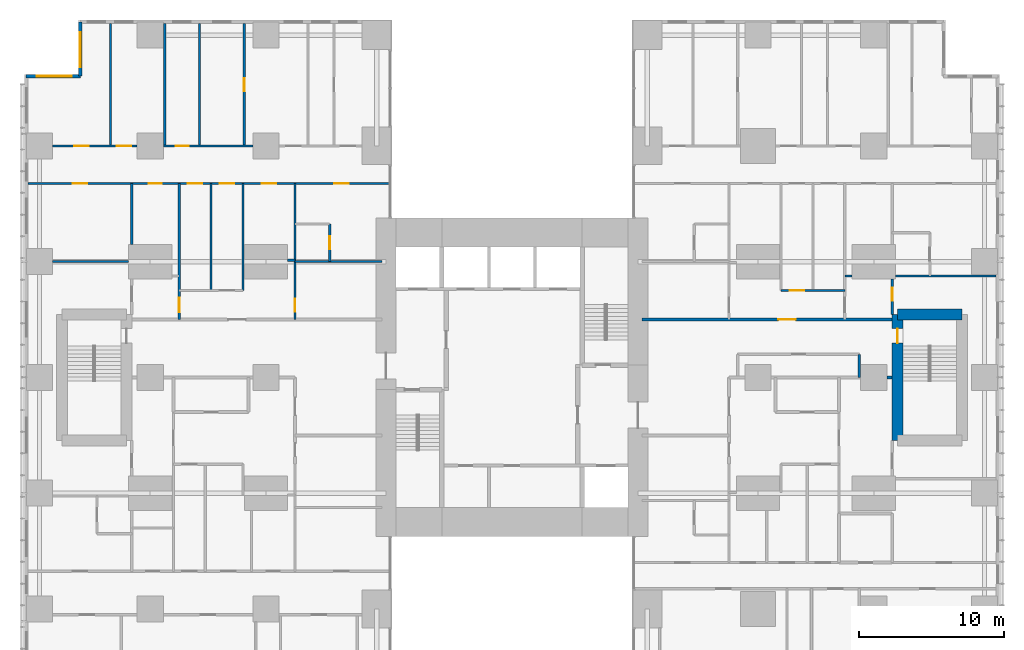
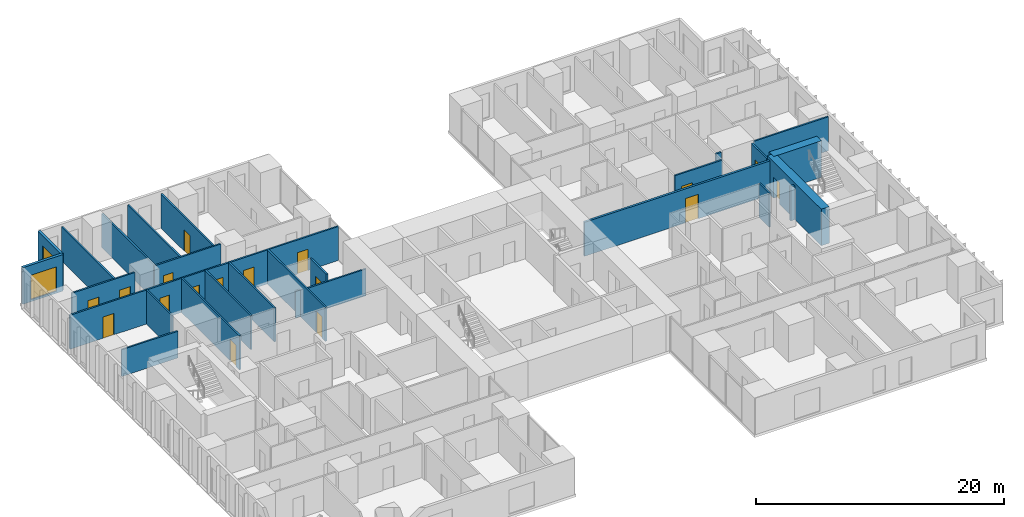
# One storey, part 16 of 20: 27 walls, 17 doors, 2 windows, 19 openings.
"""IFC4 building model written with IfcOpenShell, lengths in metres."""

from ifc_helpers import new_model, si_unit, direction, frame, frame_2d, origin, place, context, subcontext, project, spatial, rectangle, extrude, material, layer, layer_set, type_object, element, fill, save


model = new_model("IFC4")

# Units and contexts
model_context = context("Model", 3, precision=1e-05, world=origin(), true_north=direction((0.0, 1.0)))
body_context = subcontext(model_context, "Body", "Model", "MODEL_VIEW")
ifc_project = project(units=[si_unit("LENGTHUNIT", "METRE"), si_unit("AREAUNIT", "SQUARE_METRE"), si_unit("VOLUMEUNIT", "CUBIC_METRE"), si_unit("PLANEANGLEUNIT", "RADIAN"), si_unit("MASSUNIT", "GRAM", prefix="KILO")], contexts=[model_context])

# Site, building, storey
site_placement = place(None, origin())
site = spatial("IfcSite", under=ifc_project, at=site_placement, CompositionType="ELEMENT")
building_placement = place(site_placement, origin())
building = spatial("IfcBuilding", under=site, at=building_placement, Name="Cleftline Residences", CompositionType="ELEMENT")
storey_placement = place(building_placement, frame((0.0, 0.0, 185.800048828125)))
storey = spatial("IfcBuildingStorey", under=building, at=storey_placement, Name="L48", CompositionType="ELEMENT", Elevation=185.800048828125)

# Wall, opening, window
ifc_material_1 = material(Name="Rendered reinforced concrete blockwork", Category="masonry")
ifc_layer_1 = layer(ifc_material_1, 0.25)
ifc_layer_set_1 = layer_set([ifc_layer_1], Name="EXTERNAL WALL 250")
wall_type_1 = type_object("IfcWallType", Name="EXTERNAL WALL 250", PredefinedType="SOLIDWALL", material=ifc_layer_set_1)
wall_1_placement = place(storey_placement, frame((3.175048828125, 48.574951171875, 0.0), z_axis=(0.0, 0.0, 1.0), x_axis=(0.0, -1.0, 0.0)))
wall_1 = element("IfcWall", 1, at=wall_1_placement, inside=storey, type_object=wall_type_1, Name="External wall", PredefinedType="SOLIDWALL", context=body_context, shape_type="SweptSolid", body=[
    extrude(rectangle(XDim=3.75, YDim=0.25, at=frame_2d((1.875, 0.0))), origin(), (0.0, 0.0, 1.0), 3.599853515625),
])
opening_1_placement = place(wall_1_placement, frame((0.737548828125, 0.0, 0.199951171875)))
opening_1 = element("IfcOpeningElement", 2, at=opening_1_placement, cuts=wall_1, Name="Opening W9", PredefinedType="OPENING", context=body_context, shape_type="SweptSolid", body=[
    extrude(rectangle(XDim=2.39990234375, YDim=2.39990234375, at=frame_2d((1.199951171875, 1.199951171875))), frame((0.0, 0.135009765625, 0.0), z_axis=(0.0, -1.0, 0.0), x_axis=(1.0, 0.0, 0.0)), (0.0, 0.0, 1.0), 0.27001953125),
])
ifc_material_2 = material(Name="Aluminium frame, clear double glazing", Category="aluminium")
window_type = type_object("IfcWindowType", Name="WINDOW 2400X2400", PartitioningType="DOUBLE_PANEL_VERTICAL", PredefinedType="WINDOW", material=ifc_material_2)
window_1_placement = place(opening_1_placement, origin())
window_1 = element("IfcWindow", 3, at=window_1_placement, inside=storey, type_object=window_type, Name="Window", OverallHeight=2.39990234375, OverallWidth=2.39990234375, PartitioningType="SINGLE_PANEL", PredefinedType="WINDOW", context=body_context, shape_type="SweptSolid", body=[
    extrude(rectangle(XDim=2.39990234375, YDim=2.39990234375, at=frame_2d((1.199951171875, 1.199951171875))), frame((0.0, 0.030029296875, 0.0), z_axis=(0.0, -1.0, 0.0), x_axis=(1.0, 0.0, 0.0)), (0.0, 0.0, 1.0), 0.06005859375),
])
fill(opening_1, window_1)

wall_2_placement = place(storey_placement, frame((3.175048828125, 44.824951171875, 0.0), z_axis=(0.0, 0.0, 1.0), x_axis=(-1.0, 0.0, 0.0)))
wall_2 = element("IfcWall", 4, at=wall_2_placement, inside=storey, type_object=wall_type_1, Name="External wall", PredefinedType="SOLIDWALL", context=body_context, shape_type="SweptSolid", body=[
    extrude(rectangle(XDim=3.75, YDim=0.25, at=frame_2d((1.875, 0.0))), origin(), (0.0, 0.0, 1.0), 3.599853515625),
])
opening_2_placement = place(wall_2_placement, frame((0.612548828125, 0.0, 0.199951171875)))
opening_2 = element("IfcOpeningElement", 5, at=opening_2_placement, cuts=wall_2, Name="Opening W9", PredefinedType="OPENING", context=body_context, shape_type="SweptSolid", body=[
    extrude(rectangle(XDim=2.39990234375, YDim=2.39990234375, at=frame_2d((1.199951171875, 1.199951171875))), frame((0.0, 0.135009765625, 0.0), z_axis=(0.0, -1.0, 0.0), x_axis=(1.0, 0.0, 0.0)), (0.0, 0.0, 1.0), 0.27001953125),
])
window_2_placement = place(opening_2_placement, origin())
window_2 = element("IfcWindow", 6, at=window_2_placement, inside=storey, type_object=window_type, Name="Window", OverallHeight=2.39990234375, OverallWidth=2.39990234375, PartitioningType="SINGLE_PANEL", PredefinedType="WINDOW", context=body_context, shape_type="SweptSolid", body=[
    extrude(rectangle(XDim=2.39990234375, YDim=2.39990234375, at=frame_2d((1.199951171875, 1.199951171875))), frame((0.0, 0.030029296875, 0.0), z_axis=(0.0, -1.0, 0.0), x_axis=(1.0, 0.0, 0.0)), (0.0, 0.0, 1.0), 0.06005859375),
])
fill(opening_2, window_2)

# Wall
ifc_material_3 = material(Name="Concrete blockwork, fire rated", Category="masonry")
ifc_layer_2 = layer(ifc_material_3, 0.199951171875)
ifc_layer_set_2 = layer_set([ifc_layer_2], Name="FIRE WALL 200")
wall_type_2 = type_object("IfcWallType", Name="FIRE WALL 200", PredefinedType="PARTITIONING", material=ifc_layer_set_2)
wall_3_placement = place(storey_placement, frame((58.89990234375, 24.0, 0.0), z_axis=(0.0, 0.0, 1.0), x_axis=(1.0, 0.0, 0.0)))
element("IfcWall", 7, at=wall_3_placement, inside=storey, type_object=wall_type_2, Name="Fire separating wall", PredefinedType="PARTITIONING", context=body_context, shape_type="SweptSolid", body=[
    extrude(rectangle(XDim=0.375, YDim=0.199951171875, at=frame_2d((0.1875, 0.0))), origin(), (0.0, 0.0, 1.0), 3.349853515625),
])

# Wall, opening, door
wall_4_placement = place(storey_placement, frame((42.0, 28.0, 0.0), z_axis=(0.0, 0.0, 1.0), x_axis=(1.0, 0.0, 0.0)))
wall_4 = element("IfcWall", 8, at=wall_4_placement, inside=storey, type_object=wall_type_2, Name="Fire separating wall", PredefinedType="PARTITIONING", context=body_context, shape_type="SweptSolid", body=[
    extrude(rectangle(XDim=17.27490234375, YDim=0.199951171875, at=frame_2d((8.637451171875, 0.0))), origin(), (0.0, 0.0, 1.0), 3.349853515625),
])
opening_3_placement = place(wall_4_placement, frame((9.39990234375, 0.0, 0.0)))
opening_3 = element("IfcOpeningElement", 9, at=opening_3_placement, cuts=wall_4, Name="Opening D4", PredefinedType="OPENING", context=body_context, shape_type="SweptSolid", body=[
    extrude(rectangle(XDim=1.199951171875, YDim=2.39990234375, at=frame_2d((0.60009765625, 1.199951171875))), frame((0.0, 0.10986328125, 0.0), z_axis=(0.0, -1.0, 0.0), x_axis=(1.0, 0.0, 0.0)), (0.0, 0.0, 1.0), 0.219970703125),
])
ifc_material_4 = material(Name="Timber veneer on solid core", Category="wood")
door_type_1 = type_object("IfcDoorType", Name="APARTMENT ENTRANCE DOOR 1200X2400", OperationType="SINGLE_SWING_RIGHT", PredefinedType="DOOR", material=ifc_material_4)
door_1_placement = place(opening_3_placement, origin())
door_1 = element("IfcDoor", 10, at=door_1_placement, inside=storey, type_object=door_type_1, Name="Door to residence entrance (gallery)", OperationType="SINGLE_SWING_LEFT", OverallHeight=2.39990234375, OverallWidth=1.199951171875, PredefinedType="DOOR", context=body_context, shape_type="SweptSolid", body=[
    extrude(rectangle(XDim=1.199951171875, YDim=2.39990234375, at=frame_2d((0.60009765625, 1.199951171875))), frame((0.0, 0.02490234375, 0.0), z_axis=(0.0, -1.0, 0.0), x_axis=(1.0, 0.0, 0.0)), (0.0, 0.0, 1.0), 0.050048828125),
])
fill(opening_3, door_1)

ifc_material_5 = material(Name="Gypsum board on steel studs", Category="steel")
ifc_layer_3 = layer(ifc_material_5, 0.14990234375)
ifc_layer_set_3 = layer_set([ifc_layer_3], Name="PARTITION 150")
wall_type_3 = type_object("IfcWallType", Name="PARTITION 150", PredefinedType="PARTITIONING", material=ifc_layer_set_3)
wall_5_placement = place(storey_placement, frame((51.60009765625, 30.0, 0.0), z_axis=(0.0, 0.0, 1.0), x_axis=(1.0, 0.0, 0.0)))
wall_5 = element("IfcWall", 11, at=wall_5_placement, inside=storey, type_object=wall_type_3, Name="Partition", PredefinedType="PARTITIONING", context=body_context, shape_type="SweptSolid", body=[
    extrude(rectangle(XDim=4.39990234375, YDim=0.14990234375, at=frame_2d((2.199951171875, 0.0))), origin(), (0.0, 0.0, 1.0), 3.349853515625),
])
opening_4_placement = place(wall_5_placement, frame((0.60009765625, 0.0, 0.0)))
opening_4 = element("IfcOpeningElement", 12, at=opening_4_placement, cuts=wall_5, Name="Opening D2", PredefinedType="OPENING", context=body_context, shape_type="SweptSolid", body=[
    extrude(rectangle(XDim=1.0, YDim=2.10009765625, at=frame_2d((0.5, 1.050048828125))), frame((0.0, 0.0849609375, 0.0), z_axis=(0.0, -1.0, 0.0), x_axis=(1.0, 0.0, 0.0)), (0.0, 0.0, 1.0), 0.169921875),
])
ifc_material_6 = material(Name="Timber veneer on solid core", Category="wood")
door_type_2 = type_object("IfcDoorType", Name="DOOR 1000X2100", OperationType="SINGLE_SWING_LEFT", PredefinedType="DOOR", material=ifc_material_6)
door_2_placement = place(opening_4_placement, origin())
door_2 = element("IfcDoor", 13, at=door_2_placement, inside=storey, type_object=door_type_2, Name="Door to residence passage", OperationType="SINGLE_SWING_RIGHT", OverallHeight=2.10009765625, OverallWidth=1.0, PredefinedType="DOOR", context=body_context, shape_type="SweptSolid", body=[
    extrude(rectangle(XDim=1.0, YDim=2.10009765625, at=frame_2d((0.5, 1.050048828125))), frame((0.0, 0.02490234375, 0.0), z_axis=(0.0, -1.0, 0.0), x_axis=(1.0, 0.0, 0.0)), (0.0, 0.0, 1.0), 0.050048828125),
])
fill(opening_4, door_2)

# Walls
wall_6_placement = place(storey_placement, frame((56.0, 31.0, 0.0), z_axis=(0.0, 0.0, 1.0), x_axis=(1.0, 0.0, 0.0)))
element("IfcWall", 14, at=wall_6_placement, inside=storey, type_object=wall_type_3, Name="Partition", PredefinedType="PARTITIONING", context=body_context, shape_type="SweptSolid", body=[
    extrude(rectangle(XDim=0.5, YDim=0.14990234375, at=frame_2d((0.25, 0.0))), origin(), (0.0, 0.0, 1.0), 3.349853515625),
])
wall_7_placement = place(storey_placement, frame((59.5, 31.0, 0.0), z_axis=(0.0, 0.0, 1.0), x_axis=(1.0, 0.0, 0.0)))
element("IfcWall", 15, at=wall_7_placement, inside=storey, type_object=wall_type_3, Name="Partition", PredefinedType="PARTITIONING", context=body_context, shape_type="SweptSolid", body=[
    extrude(rectangle(XDim=6.949951171875, YDim=0.14990234375, at=frame_2d((3.47509765625, 0.0))), origin(), (0.0, 0.0, 1.0), 3.349853515625),
])
wall_8_placement = place(storey_placement, frame((1.25, 32.0, 0.0), z_axis=(0.0, 0.0, 1.0), x_axis=(1.0, 0.0, 0.0)))
element("IfcWall", 16, at=wall_8_placement, inside=storey, type_object=wall_type_3, Name="Partition", PredefinedType="PARTITIONING", context=body_context, shape_type="SweptSolid", body=[
    extrude(rectangle(XDim=5.25, YDim=0.14990234375, at=frame_2d((2.625, 0.0))), origin(), (0.0, 0.0, 1.0), 2.634033203125),
])
wall_9_placement = place(storey_placement, frame((18.0, 32.0, 0.0), z_axis=(0.0, 0.0, 1.0), x_axis=(1.0, 0.0, 0.0)))
element("IfcWall", 17, at=wall_9_placement, inside=storey, type_object=wall_type_3, Name="Partition", PredefinedType="PARTITIONING", context=body_context, shape_type="SweptSolid", body=[
    extrude(rectangle(XDim=6.0, YDim=0.14990234375, at=frame_2d((3.0, 0.0))), origin(), (0.0, 0.0, 1.0), 2.634033203125),
])
wall_10_placement = place(storey_placement, frame((17.5, 32.10009765625, 0.0), z_axis=(0.0, 0.0, 1.0), x_axis=(1.0, 0.0, 0.0)))
element("IfcWall", 18, at=wall_10_placement, inside=storey, type_object=wall_type_3, Name="Partition", PredefinedType="PARTITIONING", context=body_context, shape_type="SweptSolid", body=[
    extrude(rectangle(XDim=0.5, YDim=0.14990234375, at=frame_2d((0.25, 0.0))), origin(), (0.0, 0.0, 1.0), 2.634033203125),
])

# Wall, openings, doors
wall_11_placement = place(storey_placement, frame((-0.449951171875, 37.39990234375, 0.0), z_axis=(0.0, 0.0, 1.0), x_axis=(1.0, 0.0, 0.0)))
wall_11 = element("IfcWall", 19, at=wall_11_placement, inside=storey, type_object=wall_type_3, Name="Partition", PredefinedType="PARTITIONING", context=body_context, shape_type="SweptSolid", body=[
    extrude(rectangle(XDim=25.010986328125, YDim=0.14990234375, at=frame_2d((12.50537109375, 0.0))), origin(), (0.0, 0.0, 1.0), 3.349853515625),
])
opening_5_placement = place(wall_11_placement, frame((13.25, 0.0, 0.0)))
opening_5 = element("IfcOpeningElement", 20, at=opening_5_placement, cuts=wall_11, Name="Opening D2", PredefinedType="OPENING", context=body_context, shape_type="SweptSolid", body=[
    extrude(rectangle(XDim=1.0, YDim=2.10009765625, at=frame_2d((0.5, 1.050048828125))), frame((0.0, 0.0849609375, 0.0), z_axis=(0.0, -1.0, 0.0), x_axis=(1.0, 0.0, 0.0)), (0.0, 0.0, 1.0), 0.169921875),
])
opening_6_placement = place(wall_11_placement, frame((3.08740234375, 0.0, 0.0)))
opening_6 = element("IfcOpeningElement", 21, at=opening_6_placement, cuts=wall_11, Name="Opening D2", PredefinedType="OPENING", context=body_context, shape_type="SweptSolid", body=[
    extrude(rectangle(XDim=1.0, YDim=2.10009765625, at=frame_2d((0.5, 1.050048828125))), frame((0.0, 0.0849609375, 0.0), z_axis=(0.0, -1.0, 0.0), x_axis=(1.0, 0.0, 0.0)), (0.0, 0.0, 1.0), 0.169921875),
])
opening_7_placement = place(wall_11_placement, frame((8.362548828125, 0.0, 0.0)))
opening_7 = element("IfcOpeningElement", 22, at=opening_7_placement, cuts=wall_11, Name="Opening D1", PredefinedType="OPENING", context=body_context, shape_type="SweptSolid", body=[
    extrude(rectangle(XDim=0.89990234375, YDim=2.10009765625, at=frame_2d((0.449951171875, 1.050048828125))), frame((0.0, 0.0849609375, 0.0), z_axis=(0.0, -1.0, 0.0), x_axis=(1.0, 0.0, 0.0)), (0.0, 0.0, 1.0), 0.169921875),
])
opening_8_placement = place(wall_11_placement, frame((11.050048828125, 0.0, 0.0)))
opening_8 = element("IfcOpeningElement", 23, at=opening_8_placement, cuts=wall_11, Name="Opening D2", PredefinedType="OPENING", context=body_context, shape_type="SweptSolid", body=[
    extrude(rectangle(XDim=1.0, YDim=2.10009765625, at=frame_2d((0.5, 1.050048828125))), frame((0.0, 0.0849609375, 0.0), z_axis=(0.0, -1.0, 0.0), x_axis=(1.0, 0.0, 0.0)), (0.0, 0.0, 1.0), 0.169921875),
])
opening_9_placement = place(wall_11_placement, frame((16.14990234375, 0.0, 0.0)))
opening_9 = element("IfcOpeningElement", 24, at=opening_9_placement, cuts=wall_11, Name="Opening D2", PredefinedType="OPENING", context=body_context, shape_type="SweptSolid", body=[
    extrude(rectangle(XDim=1.0, YDim=2.10009765625, at=frame_2d((0.5, 1.050048828125))), frame((0.0, 0.0849609375, 0.0), z_axis=(0.0, -1.0, 0.0), x_axis=(1.0, 0.0, 0.0)), (0.0, 0.0, 1.0), 0.169921875),
])
opening_10_placement = place(wall_11_placement, frame((21.175048828125, 0.0, 0.0)))
opening_10 = element("IfcOpeningElement", 25, at=opening_10_placement, cuts=wall_11, Name="Opening D2", PredefinedType="OPENING", context=body_context, shape_type="SweptSolid", body=[
    extrude(rectangle(XDim=1.0, YDim=2.10009765625, at=frame_2d((0.5, 1.050048828125))), frame((0.0, 0.0849609375, 0.0), z_axis=(0.0, -1.0, 0.0), x_axis=(1.0, 0.0, 0.0)), (0.0, 0.0, 1.0), 0.169921875),
])
door_3_placement = place(opening_5_placement, origin())
door_3 = element("IfcDoor", 26, at=door_3_placement, inside=storey, type_object=door_type_2, Name="Door to residence hall", OperationType="SINGLE_SWING_LEFT", OverallHeight=2.10009765625, OverallWidth=1.0, PredefinedType="DOOR", context=body_context, shape_type="SweptSolid", body=[
    extrude(rectangle(XDim=1.0, YDim=2.10009765625, at=frame_2d((0.5, 1.050048828125))), frame((0.0, 0.02490234375, 0.0), z_axis=(0.0, -1.0, 0.0), x_axis=(1.0, 0.0, 0.0)), (0.0, 0.0, 1.0), 0.050048828125),
])
fill(opening_5, door_3)
door_4_placement = place(opening_6_placement, origin())
door_4 = element("IfcDoor", 27, at=door_4_placement, inside=storey, type_object=door_type_2, Name="Door to winter garden", OperationType="SINGLE_SWING_RIGHT", OverallHeight=2.10009765625, OverallWidth=1.0, PredefinedType="DOOR", context=body_context, shape_type="SweptSolid", body=[
    extrude(rectangle(XDim=1.0, YDim=2.10009765625, at=frame_2d((0.5, 1.050048828125))), frame((0.0, 0.02490234375, 0.0), z_axis=(0.0, -1.0, 0.0), x_axis=(1.0, 0.0, 0.0)), (0.0, 0.0, 1.0), 0.050048828125),
])
fill(opening_6, door_4)
door_5_placement = place(opening_8_placement, origin())
door_5 = element("IfcDoor", 28, at=door_5_placement, inside=storey, type_object=door_type_2, Name="Door to family room", OperationType="SINGLE_SWING_RIGHT", OverallHeight=2.10009765625, OverallWidth=1.0, PredefinedType="DOOR", context=body_context, shape_type="SweptSolid", body=[
    extrude(rectangle(XDim=1.0, YDim=2.10009765625, at=frame_2d((0.5, 1.050048828125))), frame((0.0, 0.02490234375, 0.0), z_axis=(0.0, -1.0, 0.0), x_axis=(1.0, 0.0, 0.0)), (0.0, 0.0, 1.0), 0.050048828125),
])
fill(opening_8, door_5)
door_6_placement = place(opening_9_placement, origin())
door_6 = element("IfcDoor", 29, at=door_6_placement, inside=storey, type_object=door_type_2, Name="Door to morning kitchen", OperationType="SINGLE_SWING_LEFT", OverallHeight=2.10009765625, OverallWidth=1.0, PredefinedType="DOOR", context=body_context, shape_type="SweptSolid", body=[
    extrude(rectangle(XDim=1.0, YDim=2.10009765625, at=frame_2d((0.5, 1.050048828125))), frame((0.0, 0.02490234375, 0.0), z_axis=(0.0, -1.0, 0.0), x_axis=(1.0, 0.0, 0.0)), (0.0, 0.0, 1.0), 0.050048828125),
])
fill(opening_9, door_6)
door_7_placement = place(opening_10_placement, origin())
door_7 = element("IfcDoor", 30, at=door_7_placement, inside=storey, type_object=door_type_2, Name="Door to bedroom 4", OperationType="SINGLE_SWING_LEFT", OverallHeight=2.10009765625, OverallWidth=1.0, PredefinedType="DOOR", context=body_context, shape_type="SweptSolid", body=[
    extrude(rectangle(XDim=1.0, YDim=2.10009765625, at=frame_2d((0.5, 1.050048828125))), frame((0.0, 0.02490234375, 0.0), z_axis=(0.0, -1.0, 0.0), x_axis=(1.0, 0.0, 0.0)), (0.0, 0.0, 1.0), 0.050048828125),
])
fill(opening_10, door_7)
ifc_material_7 = material(Name="Timber veneer on solid core", Category="wood")
door_type_3 = type_object("IfcDoorType", Name="DOOR 900X2100", OperationType="SINGLE_SWING_LEFT", PredefinedType="DOOR", material=ifc_material_7)
door_8_placement = place(opening_7_placement, origin())
door_8 = element("IfcDoor", 31, at=door_8_placement, inside=storey, type_object=door_type_3, Name="Door to master bathroom", OperationType="SINGLE_SWING_RIGHT", OverallHeight=2.10009765625, OverallWidth=0.89990234375, PredefinedType="DOOR", context=body_context, shape_type="SweptSolid", body=[
    extrude(rectangle(XDim=0.89990234375, YDim=2.10009765625, at=frame_2d((0.449951171875, 1.050048828125))), frame((0.0, 0.02490234375, 0.0), z_axis=(0.0, -1.0, 0.0), x_axis=(1.0, 0.0, 0.0)), (0.0, 0.0, 1.0), 0.050048828125),
])
fill(opening_7, door_8)

wall_12_placement = place(storey_placement, frame((1.25, 40.0, 0.0), z_axis=(0.0, 0.0, 1.0), x_axis=(1.0, 0.0, 0.0)))
wall_12 = element("IfcWall", 32, at=wall_12_placement, inside=storey, type_object=wall_type_3, Name="Partition", PredefinedType="PARTITIONING", context=body_context, shape_type="SweptSolid", body=[
    extrude(rectangle(XDim=5.85009765625, YDim=0.14990234375, at=frame_2d((2.925048828125, 0.0))), origin(), (0.0, 0.0, 1.0), 3.349853515625),
])
opening_11_placement = place(wall_12_placement, frame((1.5, 0.0, 0.0)))
opening_11 = element("IfcOpeningElement", 33, at=opening_11_placement, cuts=wall_12, Name="Opening D2", PredefinedType="OPENING", context=body_context, shape_type="SweptSolid", body=[
    extrude(rectangle(XDim=1.0, YDim=2.10009765625, at=frame_2d((0.5, 1.050048828125))), frame((0.0, 0.0849609375, 0.0), z_axis=(0.0, -1.0, 0.0), x_axis=(1.0, 0.0, 0.0)), (0.0, 0.0, 1.0), 0.169921875),
])
opening_12_placement = place(wall_12_placement, frame((4.425048828125, 0.0, 0.0)))
opening_12 = element("IfcOpeningElement", 34, at=opening_12_placement, cuts=wall_12, Name="Opening D2", PredefinedType="OPENING", context=body_context, shape_type="SweptSolid", body=[
    extrude(rectangle(XDim=1.0, YDim=2.10009765625, at=frame_2d((0.5, 1.050048828125))), frame((0.0, 0.0849609375, 0.0), z_axis=(0.0, -1.0, 0.0), x_axis=(1.0, 0.0, 0.0)), (0.0, 0.0, 1.0), 0.169921875),
])
door_9_placement = place(opening_11_placement, origin())
door_9 = element("IfcDoor", 35, at=door_9_placement, inside=storey, type_object=door_type_2, Name="Door to master bedroom", OperationType="SINGLE_SWING_RIGHT", OverallHeight=2.10009765625, OverallWidth=1.0, PredefinedType="DOOR", context=body_context, shape_type="SweptSolid", body=[
    extrude(rectangle(XDim=1.0, YDim=2.10009765625, at=frame_2d((0.5, 1.050048828125))), frame((0.0, 0.02490234375, 0.0), z_axis=(0.0, -1.0, 0.0), x_axis=(1.0, 0.0, 0.0)), (0.0, 0.0, 1.0), 0.050048828125),
])
fill(opening_11, door_9)
door_10_placement = place(opening_12_placement, origin())
door_10 = element("IfcDoor", 36, at=door_10_placement, inside=storey, type_object=door_type_2, Name="Door to master sitting room", OperationType="SINGLE_SWING_LEFT", OverallHeight=2.10009765625, OverallWidth=1.0, PredefinedType="DOOR", context=body_context, shape_type="SweptSolid", body=[
    extrude(rectangle(XDim=1.0, YDim=2.10009765625, at=frame_2d((0.5, 1.050048828125))), frame((0.0, 0.02490234375, 0.0), z_axis=(0.0, -1.0, 0.0), x_axis=(1.0, 0.0, 0.0)), (0.0, 0.0, 1.0), 0.050048828125),
])
fill(opening_12, door_10)

# Wall, opening, door
wall_13_placement = place(storey_placement, frame((8.89990234375, 40.0, 0.0), z_axis=(0.0, 0.0, 1.0), x_axis=(1.0, 0.0, 0.0)))
wall_13 = element("IfcWall", 37, at=wall_13_placement, inside=storey, type_object=wall_type_3, Name="Partition", PredefinedType="PARTITIONING", context=body_context, shape_type="SweptSolid", body=[
    extrude(rectangle(XDim=6.2001953125, YDim=0.14990234375, at=frame_2d((3.10009765625, 0.0))), origin(), (0.0, 0.0, 1.0), 3.349853515625),
])
opening_13_placement = place(wall_13_placement, frame((0.85009765625, 0.0, 0.0)))
opening_13 = element("IfcOpeningElement", 38, at=opening_13_placement, cuts=wall_13, Name="Opening D1", PredefinedType="OPENING", context=body_context, shape_type="SweptSolid", body=[
    extrude(rectangle(XDim=0.89990234375, YDim=2.10009765625, at=frame_2d((0.449951171875, 1.050048828125))), frame((0.0, 0.0849609375, 0.0), z_axis=(0.0, -1.0, 0.0), x_axis=(1.0, 0.0, 0.0)), (0.0, 0.0, 1.0), 0.169921875),
])
door_11_placement = place(opening_13_placement, origin())
door_11 = element("IfcDoor", 39, at=door_11_placement, inside=storey, type_object=door_type_3, Name="Door to master dressing room", OperationType="SINGLE_SWING_RIGHT", OverallHeight=2.10009765625, OverallWidth=0.89990234375, PredefinedType="DOOR", context=body_context, shape_type="SweptSolid", body=[
    extrude(rectangle(XDim=0.89990234375, YDim=2.10009765625, at=frame_2d((0.449951171875, 1.050048828125))), frame((0.0, 0.02490234375, 0.0), z_axis=(0.0, -1.0, 0.0), x_axis=(1.0, 0.0, 0.0)), (0.0, 0.0, 1.0), 0.050048828125),
])
fill(opening_13, door_11)

# Walls
wall_14_placement = place(storey_placement, frame((5.25, 40.0, 0.0), z_axis=(0.0, 0.0, 1.0), x_axis=(0.0, 1.0, 0.0)))
element("IfcWall", 40, at=wall_14_placement, inside=storey, type_object=wall_type_3, Name="Partition", PredefinedType="PARTITIONING", context=body_context, shape_type="SweptSolid", body=[
    extrude(rectangle(XDim=8.449951171875, YDim=0.14990234375, at=frame_2d((4.22509765625, 0.0))), origin(), (0.0, 0.0, 1.0), 3.349853515625),
])
wall_15_placement = place(storey_placement, frame((6.72509765625, 33.199951171875, 0.0), z_axis=(0.0, 0.0, 1.0), x_axis=(0.0, 1.0, 0.0)))
element("IfcWall", 41, at=wall_15_placement, inside=storey, type_object=wall_type_3, Name="Partition", PredefinedType="PARTITIONING", context=body_context, shape_type="SweptSolid", body=[
    extrude(rectangle(XDim=4.199951171875, YDim=0.14990234375, at=frame_2d((2.10009765625, 0.0))), origin(), (0.0, 0.0, 1.0), 3.349853515625),
])
wall_16_placement = place(storey_placement, frame((9.0, 40.0, 0.0), z_axis=(0.0, 0.0, 1.0), x_axis=(0.0, 1.0, 0.0)))
element("IfcWall", 42, at=wall_16_placement, inside=storey, type_object=wall_type_3, Name="Partition", PredefinedType="PARTITIONING", context=body_context, shape_type="SweptSolid", body=[
    extrude(rectangle(XDim=8.449951171875, YDim=0.14990234375, at=frame_2d((4.22509765625, 0.0))), origin(), (0.0, 0.0, 1.0), 3.349853515625),
])

# Wall, opening, door
wall_17_placement = place(storey_placement, frame((10.0, 28.0, 0.0), z_axis=(0.0, 0.0, 1.0), x_axis=(0.0, 1.0, 0.0)))
wall_17 = element("IfcWall", 43, at=wall_17_placement, inside=storey, type_object=wall_type_3, Name="Partition", PredefinedType="PARTITIONING", context=body_context, shape_type="SweptSolid", body=[
    extrude(rectangle(XDim=9.39990234375, YDim=0.14990234375, at=frame_2d((4.699951171875, 0.0))), origin(), (0.0, 0.0, 1.0), 3.349853515625),
])
opening_14_placement = place(wall_17_placement, frame((0.5, 0.0, 0.0)))
opening_14 = element("IfcOpeningElement", 44, at=opening_14_placement, cuts=wall_17, Name="Opening D2F30", PredefinedType="OPENING", context=body_context, shape_type="SweptSolid", body=[
    extrude(rectangle(XDim=1.0, YDim=2.10009765625, at=frame_2d((0.5, 1.050048828125))), frame((0.0, 0.0849609375, 0.0), z_axis=(0.0, -1.0, 0.0), x_axis=(1.0, 0.0, 0.0)), (0.0, 0.0, 1.0), 0.169921875),
])
ifc_material_8 = material(Name="Timber veneer on solid core", Category="wood")
door_type_4 = type_object("IfcDoorType", Name="DOOR 1000X2100 EI 30", OperationType="SINGLE_SWING_LEFT", PredefinedType="DOOR", material=ifc_material_8)
door_12_placement = place(opening_14_placement, origin())
door_12 = element("IfcDoor", 45, at=door_12_placement, inside=storey, type_object=door_type_4, Name="Door to residence lobby (service)", OperationType="SINGLE_SWING_RIGHT", OverallHeight=2.10009765625, OverallWidth=1.0, PredefinedType="DOOR", context=body_context, shape_type="SweptSolid", body=[
    extrude(rectangle(XDim=1.0, YDim=2.10009765625, at=frame_2d((0.5, 1.050048828125))), frame((0.0, 0.02490234375, 0.0), z_axis=(0.0, -1.0, 0.0), x_axis=(1.0, 0.0, 0.0)), (0.0, 0.0, 1.0), 0.050048828125),
])
fill(opening_14, door_12)

# Walls
wall_18_placement = place(storey_placement, frame((11.39990234375, 40.0, 0.0), z_axis=(0.0, 0.0, 1.0), x_axis=(0.0, 1.0, 0.0)))
element("IfcWall", 46, at=wall_18_placement, inside=storey, type_object=wall_type_3, Name="Partition", PredefinedType="PARTITIONING", context=body_context, shape_type="SweptSolid", body=[
    extrude(rectangle(XDim=8.449951171875, YDim=0.14990234375, at=frame_2d((4.22509765625, 0.0))), origin(), (0.0, 0.0, 1.0), 3.349853515625),
])
for number, where, z_axis, x_axis, name in (
    (47, (12.199951171875, 30.0, 0.0), (0.0, 0.0, 1.0), (0.0, 1.0, 0.0), "Partition"),
    (48, (14.39990234375, 30.0, 0.0), (0.0, 0.0, 1.0), (0.0, 1.0, 0.0), "Partition"),
):
    element("IfcWall", number, at=place(storey_placement, frame(where, z_axis=z_axis, x_axis=x_axis)), inside=storey, type_object=wall_type_3, Name=name, PredefinedType="PARTITIONING", context=body_context, shape_type="SweptSolid", body=[
        extrude(rectangle(XDim=7.39990234375, YDim=0.14990234375, at=frame_2d((3.699951171875, 0.0))), origin(), (0.0, 0.0, 1.0), 3.349853515625),
    ])

# Wall, opening, door
wall_19_placement = place(storey_placement, frame((14.5, 40.0, 0.0), z_axis=(0.0, 0.0, 1.0), x_axis=(0.0, 1.0, 0.0)))
wall_19 = element("IfcWall", 49, at=wall_19_placement, inside=storey, type_object=wall_type_3, Name="Partition", PredefinedType="PARTITIONING", context=body_context, shape_type="SweptSolid", body=[
    extrude(rectangle(XDim=8.449951171875, YDim=0.14990234375, at=frame_2d((4.22509765625, 0.0))), origin(), (0.0, 0.0, 1.0), 3.349853515625),
])
opening_15_placement = place(wall_19_placement, frame((3.77490234375, 0.0, 0.0)))
opening_15 = element("IfcOpeningElement", 50, at=opening_15_placement, cuts=wall_19, Name="Opening D1", PredefinedType="OPENING", context=body_context, shape_type="SweptSolid", body=[
    extrude(rectangle(XDim=0.89990234375, YDim=2.10009765625, at=frame_2d((0.449951171875, 1.050048828125))), frame((0.0, 0.0849609375, 0.0), z_axis=(0.0, -1.0, 0.0), x_axis=(1.0, 0.0, 0.0)), (0.0, 0.0, 1.0), 0.169921875),
])
door_13_placement = place(opening_15_placement, origin())
door_13 = element("IfcDoor", 51, at=door_13_placement, inside=storey, type_object=door_type_3, Name="Door to en-suite bathroom 2", OperationType="SINGLE_SWING_LEFT", OverallHeight=2.10009765625, OverallWidth=0.89990234375, PredefinedType="DOOR", context=body_context, shape_type="SweptSolid", body=[
    extrude(rectangle(XDim=0.89990234375, YDim=2.10009765625, at=frame_2d((0.449951171875, 1.050048828125))), frame((0.0, 0.02490234375, 0.0), z_axis=(0.0, -1.0, 0.0), x_axis=(1.0, 0.0, 0.0)), (0.0, 0.0, 1.0), 0.050048828125),
])
fill(opening_15, door_13)

wall_20_placement = place(storey_placement, frame((18.0, 28.0, 0.0), z_axis=(0.0, 0.0, 1.0), x_axis=(0.0, 1.0, 0.0)))
wall_20 = element("IfcWall", 52, at=wall_20_placement, inside=storey, type_object=wall_type_3, Name="Partition", PredefinedType="PARTITIONING", context=body_context, shape_type="SweptSolid", body=[
    extrude(rectangle(XDim=9.39990234375, YDim=0.14990234375, at=frame_2d((4.699951171875, 0.0))), origin(), (0.0, 0.0, 1.0), 3.349853515625),
])
opening_16_placement = place(wall_20_placement, frame((0.550048828125, 0.0, 0.0)))
opening_16 = element("IfcOpeningElement", 53, at=opening_16_placement, cuts=wall_20, Name="Opening D1", PredefinedType="OPENING", context=body_context, shape_type="SweptSolid", body=[
    extrude(rectangle(XDim=0.89990234375, YDim=2.10009765625, at=frame_2d((0.449951171875, 1.050048828125))), frame((0.0, 0.0849609375, 0.0), z_axis=(0.0, -1.0, 0.0), x_axis=(1.0, 0.0, 0.0)), (0.0, 0.0, 1.0), 0.169921875),
])
door_14_placement = place(opening_16_placement, origin())
door_14 = element("IfcDoor", 54, at=door_14_placement, inside=storey, type_object=door_type_3, Name="Door to staff shower room", OperationType="SINGLE_SWING_RIGHT", OverallHeight=2.10009765625, OverallWidth=0.89990234375, PredefinedType="DOOR", context=body_context, shape_type="SweptSolid", body=[
    extrude(rectangle(XDim=0.89990234375, YDim=2.10009765625, at=frame_2d((0.449951171875, 1.050048828125))), frame((0.0, 0.02490234375, 0.0), z_axis=(0.0, -1.0, 0.0), x_axis=(1.0, 0.0, 0.0)), (0.0, 0.0, 1.0), 0.050048828125),
])
fill(opening_16, door_14)

wall_21_placement = place(storey_placement, frame((20.39990234375, 32.0, 0.0), z_axis=(0.0, 0.0, 1.0), x_axis=(0.0, 1.0, 0.0)))
wall_21 = element("IfcWall", 55, at=wall_21_placement, inside=storey, type_object=wall_type_3, Name="Partition", PredefinedType="PARTITIONING", context=body_context, shape_type="SweptSolid", body=[
    extrude(rectangle(XDim=2.60009765625, YDim=0.14990234375, at=frame_2d((1.300048828125, 0.0))), origin(), (0.0, 0.0, 1.0), 3.349853515625),
])
opening_17_placement = place(wall_21_placement, frame((0.85009765625, 0.0, 0.0)))
opening_17 = element("IfcOpeningElement", 56, at=opening_17_placement, cuts=wall_21, Name="Opening D1", PredefinedType="OPENING", context=body_context, shape_type="SweptSolid", body=[
    extrude(rectangle(XDim=0.89990234375, YDim=2.10009765625, at=frame_2d((0.449951171875, 1.050048828125))), frame((0.0, 0.0849609375, 0.0), z_axis=(0.0, -1.0, 0.0), x_axis=(1.0, 0.0, 0.0)), (0.0, 0.0, 1.0), 0.169921875),
])
door_15_placement = place(opening_17_placement, origin())
door_15 = element("IfcDoor", 57, at=door_15_placement, inside=storey, type_object=door_type_3, Name="Door to en-suite bathroom 4", OperationType="SINGLE_SWING_LEFT", OverallHeight=2.10009765625, OverallWidth=0.89990234375, PredefinedType="DOOR", context=body_context, shape_type="SweptSolid", body=[
    extrude(rectangle(XDim=0.89990234375, YDim=2.10009765625, at=frame_2d((0.449951171875, 1.050048828125))), frame((0.0, 0.02490234375, 0.0), z_axis=(0.0, -1.0, 0.0), x_axis=(1.0, 0.0, 0.0)), (0.0, 0.0, 1.0), 0.050048828125),
])
fill(opening_17, door_15)

# Wall
wall_22_placement = place(storey_placement, frame((57.0, 24.0, 0.0), z_axis=(0.0, 0.0, 1.0), x_axis=(0.0, 1.0, 0.0)))
element("IfcWall", 58, at=wall_22_placement, inside=storey, type_object=wall_type_3, Name="Partition", PredefinedType="PARTITIONING", context=body_context, shape_type="SweptSolid", body=[
    extrude(rectangle(XDim=1.60009765625, YDim=0.14990234375, at=frame_2d((0.800048828125, 0.0))), origin(), (0.0, 0.0, 1.0), 3.349853515625),
])

# Wall, opening, door
wall_23_placement = place(storey_placement, frame((59.27490234375, 28.35009765625, 0.0), z_axis=(0.0, 0.0, 1.0), x_axis=(0.0, 1.0, 0.0)))
wall_23 = element("IfcWall", 59, at=wall_23_placement, inside=storey, type_object=wall_type_3, Name="Partition", PredefinedType="PARTITIONING", context=body_context, shape_type="SweptSolid", body=[
    extrude(rectangle(XDim=2.449951171875, YDim=0.14990234375, at=frame_2d((1.22509765625, 0.0))), origin(), (0.0, 0.0, 1.0), 3.349853515625),
])
opening_18_placement = place(wall_23_placement, frame((0.96240234375, 0.0, 0.0)))
opening_18 = element("IfcOpeningElement", 60, at=opening_18_placement, cuts=wall_23, Name="Opening D1", PredefinedType="OPENING", context=body_context, shape_type="SweptSolid", body=[
    extrude(rectangle(XDim=0.89990234375, YDim=2.10009765625, at=frame_2d((0.449951171875, 1.050048828125))), frame((0.0, 0.0849609375, 0.0), z_axis=(0.0, -1.0, 0.0), x_axis=(1.0, 0.0, 0.0)), (0.0, 0.0, 1.0), 0.169921875),
])
door_16_placement = place(opening_18_placement, origin())
door_16 = element("IfcDoor", 61, at=door_16_placement, inside=storey, type_object=door_type_3, Name="Door to master dressing room", OperationType="SINGLE_SWING_LEFT", OverallHeight=2.10009765625, OverallWidth=0.89990234375, PredefinedType="DOOR", context=body_context, shape_type="SweptSolid", body=[
    extrude(rectangle(XDim=0.89990234375, YDim=2.10009765625, at=frame_2d((0.449951171875, 1.050048828125))), frame((0.0, 0.02490234375, 0.0), z_axis=(0.0, -1.0, 0.0), x_axis=(1.0, 0.0, 0.0)), (0.0, 0.0, 1.0), 0.050048828125),
])
fill(opening_18, door_16)

# Wall
ifc_material_9 = material(Name="Concrete B70", Category="concrete")
ifc_layer_4 = layer(ifc_material_9, 0.75)
ifc_layer_set_4 = layer_set([ifc_layer_4], Name="SHEAR WALL 750")
wall_type_4 = type_object("IfcWallType", Name="SHEAR WALL 750", PredefinedType="SHEAR", material=ifc_layer_set_4)
wall_24_placement = place(storey_placement, frame((64.10009765625, 28.35009765625, 0.0), z_axis=(0.0, 0.0, 1.0), x_axis=(-1.0, 0.0, 0.0)))
element("IfcWall", 62, at=wall_24_placement, inside=storey, type_object=wall_type_4, Name="Wing shear wall", PredefinedType="SHEAR", context=body_context, shape_type="SweptSolid", body=[
    extrude(rectangle(XDim=4.4501953125, YDim=0.75, at=frame_2d((2.22509765625, 0.0))), origin(), (0.0, 0.0, 1.0), 3.599853515625),
])

# Wall, opening, door
wall_25_placement = place(storey_placement, frame((59.64990234375, 28.35009765625, 0.0), z_axis=(0.0, 0.0, 1.0), x_axis=(0.0, -1.0, 0.0)))
wall_25 = element("IfcWall", 63, at=wall_25_placement, inside=storey, type_object=wall_type_4, Name="Wing shear wall", PredefinedType="SHEAR", context=body_context, shape_type="SweptSolid", body=[
    extrude(rectangle(XDim=8.7001953125, YDim=0.75, at=frame_2d((4.35009765625, 0.0))), origin(), (0.0, 0.0, 1.0), 3.599853515625),
])
opening_19_placement = place(wall_25_placement, frame((0.97509765625, 0.0, 0.0)))
opening_19 = element("IfcOpeningElement", 64, at=opening_19_placement, cuts=wall_25, Name="Opening D5", PredefinedType="OPENING", context=body_context, shape_type="SweptSolid", body=[
    extrude(rectangle(XDim=1.0, YDim=2.10009765625, at=frame_2d((0.5, 1.050048828125))), frame((0.0, 0.385009765625, 0.0), z_axis=(0.0, -1.0, 0.0), x_axis=(1.0, 0.0, 0.0)), (0.0, 0.0, 1.0), 0.77001953125),
])
ifc_material_10 = material(Name="Steel", Category="steel")
door_type_5 = type_object("IfcDoorType", Name="STAIR DOOR 1000X2100", OperationType="SINGLE_SWING_LEFT", PredefinedType="DOOR", material=ifc_material_10)
door_17_placement = place(opening_19_placement, origin())
door_17 = element("IfcDoor", 65, at=door_17_placement, inside=storey, type_object=door_type_5, Name="Stair E door", OperationType="SINGLE_SWING_RIGHT", OverallHeight=2.10009765625, OverallWidth=1.0, PredefinedType="DOOR", context=body_context, shape_type="SweptSolid", body=[
    extrude(rectangle(XDim=1.0, YDim=2.10009765625, at=frame_2d((0.5, 1.050048828125))), frame((0.0, 0.02490234375, 0.0), z_axis=(0.0, -1.0, 0.0), x_axis=(1.0, 0.0, 0.0)), (0.0, 0.0, 1.0), 0.050048828125),
])
fill(opening_19, door_17)

save(model, "model.ifc")
